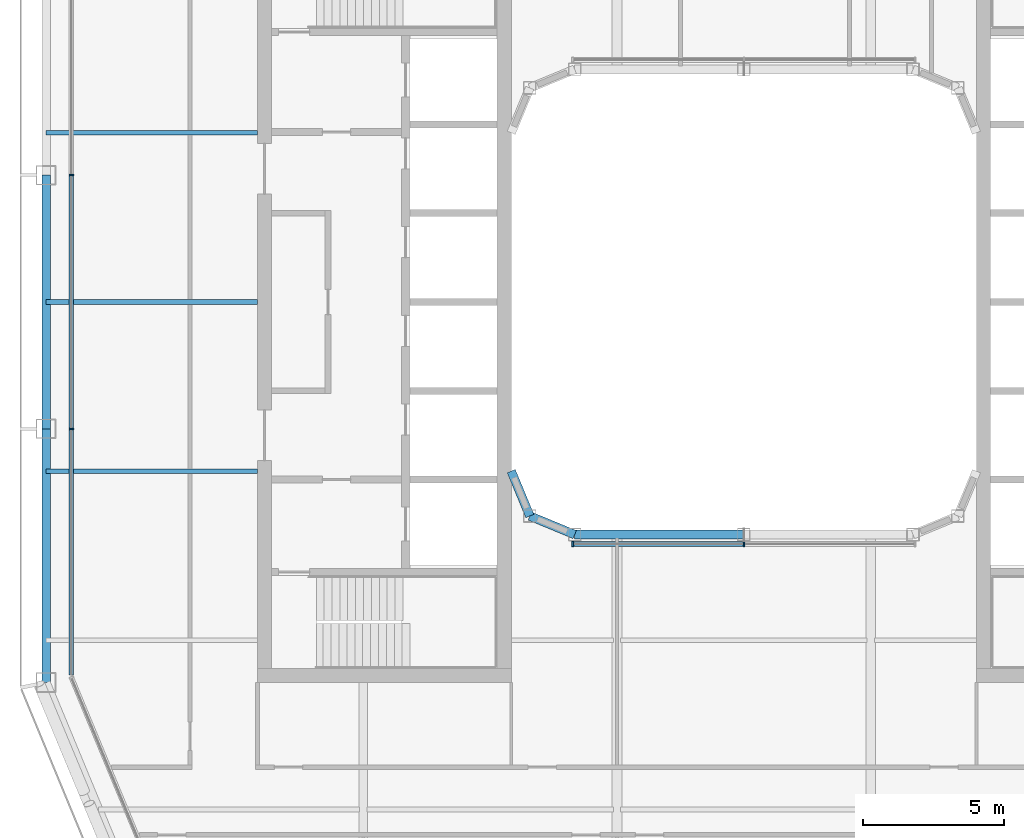
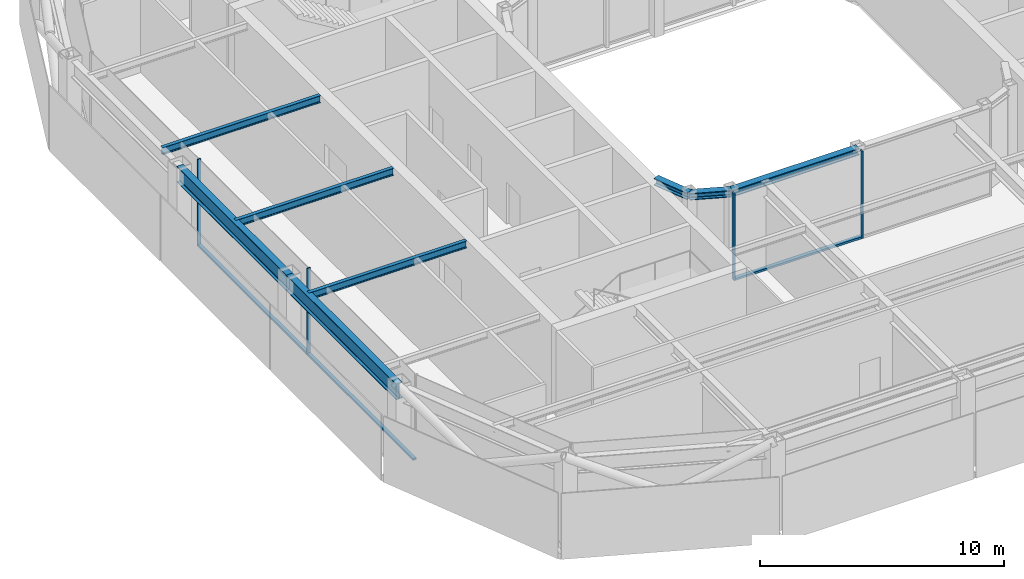
# One storey, part 4 of 21: 8 beams, 7 members, 2 elements without a shape of their own.
"""IFC4 building model written with IfcOpenShell, lengths in metres."""

from ifc_helpers import new_model, si_unit, direction, frame, origin, origin_2d, place, context, subcontext, project, spatial, rectangle, i_section, extrude, material, layer, layer_set, material_profile, profile_set, type_object, element, aggregate, save


model = new_model("IFC4")

# Units and contexts
model_context = context("Model", 3, precision=1e-05, world=origin(), true_north=direction((0.0, 1.0)))
body_context = subcontext(model_context, "Body", "Model", "MODEL_VIEW")
ifc_project = project(units=[si_unit("LENGTHUNIT", "METRE"), si_unit("AREAUNIT", "SQUARE_METRE"), si_unit("VOLUMEUNIT", "CUBIC_METRE"), si_unit("PLANEANGLEUNIT", "RADIAN"), si_unit("MASSUNIT", "GRAM", prefix="KILO")], contexts=[model_context])

# Site, building, storey
site_placement = place(None, origin())
site = spatial("IfcSite", under=ifc_project, at=site_placement, CompositionType="ELEMENT")
building_placement = place(site_placement, origin())
building = spatial("IfcBuilding", under=site, at=building_placement, Name="Siwar Civic Tower", CompositionType="ELEMENT")
storey_placement = place(building_placement, frame((0.0, 0.0, 325.699951171875)))
storey = spatial("IfcBuildingStorey", under=building, at=storey_placement, Name="L70", CompositionType="ELEMENT", Elevation=325.699951171875)

# Curtain wall, members
ifc_material_1 = material(Name="Aluminium and glass", Category="aluminium")
ifc_layer_1 = layer(ifc_material_1, 0.159912109375)
ifc_layer_set_1 = layer_set([ifc_layer_1], Name="Aluminium and glass")
curtain_wall_type_1 = type_object("IfcCurtainWallType", Name="ENV-CW-D", PredefinedType="NOTDEFINED", material=ifc_layer_set_1)
curtain_wall_1_placement = place(storey_placement, origin())
curtain_wall_1 = element("IfcCurtainWall", 1, at=curtain_wall_1_placement, inside=storey, type_object=curtain_wall_type_1, Name="Curtain wall D W", PredefinedType="NOTDEFINED")
ifc_material_2 = material(Name="Aluminium 6063-T6", Category="aluminium")
ifc_material_profile_1 = material_profile(ifc_material_2, rectangle(XDim=0.159912109375, YDim=0.06005859375, at=origin_2d()), Name="AL 160x60")
ifc_profile_set_1 = profile_set([ifc_material_profile_1], Name="Aluminium 6063-T6")
member_type_1 = type_object("IfcMemberType", Name="ENV-MULLION-D", PredefinedType="MULLION", material=ifc_profile_set_1)
member_1_placement = place(storey_placement, frame((-23.85009765625, 4.5, 0.0), z_axis=(0.0, 0.0, 1.0), x_axis=(1.0, 0.0, 0.0)))
member_1 = element("IfcMember", 2, at=member_1_placement, type_object=member_type_1, Name="Mullion D W 2", PredefinedType="MULLION", context=body_context, shape_type="SweptSolid", body=[
    extrude(rectangle(XDim=0.159912109375, YDim=0.06005859375, at=origin_2d()), origin(), (0.0, 0.0, 1.0), 4.35009765625),
])
member_2_placement = place(storey_placement, frame((-23.85009765625, -4.5, 0.0), z_axis=(0.0, 0.0, 1.0), x_axis=(1.0, 0.0, 0.0)))
member_2 = element("IfcMember", 3, at=member_2_placement, type_object=member_type_1, Name="Mullion D W 3", PredefinedType="MULLION", context=body_context, shape_type="SweptSolid", body=[
    extrude(rectangle(XDim=0.159912109375, YDim=0.06005859375, at=origin_2d()), origin(), (0.0, 0.0, 1.0), 4.35009765625),
])

ifc_material_3 = material(Name="Aluminium and glass", Category="aluminium")
ifc_layer_2 = layer(ifc_material_3, 0.179931640625)
ifc_layer_set_2 = layer_set([ifc_layer_2], Name="Aluminium and glass")
curtain_wall_type_2 = type_object("IfcCurtainWallType", Name="ENV-CW-W", PredefinedType="NOTDEFINED", material=ifc_layer_set_2)
curtain_wall_2_placement = place(storey_placement, origin())
curtain_wall_2 = element("IfcCurtainWall", 4, at=curtain_wall_2_placement, inside=storey, type_object=curtain_wall_type_2, Name="Curtain wall W WS", PredefinedType="NOTDEFINED")
ifc_material_4 = material(Name="Aluminium 6063-T6", Category="aluminium")
ifc_material_profile_2 = material_profile(ifc_material_4, rectangle(XDim=0.179931640625, YDim=0.06005859375, at=origin_2d()), Name="AL 180x60")
ifc_profile_set_2 = profile_set([ifc_material_profile_2], Name="Aluminium 6063-T6")
member_type_2 = type_object("IfcMemberType", Name="ENV-MULLION-W", PredefinedType="MULLION", material=ifc_profile_set_2)
member_3_placement = place(storey_placement, frame((-6.066650390625, -8.5849609375, 0.0), z_axis=(0.0, 0.0, 1.0), x_axis=(0.0, 1.0, 0.0)))
member_3 = element("IfcMember", 5, at=member_3_placement, type_object=member_type_2, Name="Mullion W WS 1", PredefinedType="MULLION", context=body_context, shape_type="SweptSolid", body=[
    extrude(rectangle(XDim=0.179931640625, YDim=0.06005859375, at=origin_2d()), origin(), (0.0, 0.0, 1.0), 4.35009765625),
])
member_4_placement = place(storey_placement, frame((0.0, -8.5849609375, 0.0), z_axis=(0.0, 0.0, 1.0), x_axis=(0.0, 1.0, 0.0)))
member_4 = element("IfcMember", 6, at=member_4_placement, type_object=member_type_2, Name="Mullion W WS 2", PredefinedType="MULLION", context=body_context, shape_type="SweptSolid", body=[
    extrude(rectangle(XDim=0.179931640625, YDim=0.06005859375, at=origin_2d()), origin(), (0.0, 0.0, 1.0), 4.35009765625),
])

# Member
ifc_material_5 = material(Name="Aluminium 6063-T6", Category="aluminium")
ifc_material_profile_3 = material_profile(ifc_material_5, rectangle(XDim=0.159912109375, YDim=0.10009765625, at=origin_2d()), Name="AL 160x100")
ifc_profile_set_3 = profile_set([ifc_material_profile_3], Name="Aluminium 6063-T6")
member_type_3 = type_object("IfcMemberType", Name="ENV-TRANSOM-D", PredefinedType="USERDEFINED", material=ifc_profile_set_3)
member_5_placement = place(storey_placement, frame((-23.85009765625, 4.469970703125, 0.050048828125), z_axis=(0.0, -1.0, 0.0), x_axis=(1.0, 0.0, 0.0)))
member_5 = element("IfcMember", 7, at=member_5_placement, type_object=member_type_3, Name="Transom D W 2", ObjectType="TRANSOM", PredefinedType="USERDEFINED", context=body_context, shape_type="SweptSolid", body=[
    extrude(rectangle(XDim=0.159912109375, YDim=0.10009765625, at=origin_2d()), origin(), (0.0, 0.0, 1.0), 8.93994140625),
])

member_6_placement = place(storey_placement, frame((-23.85009765625, -4.530029296875, 0.050048828125), z_axis=(0.0, -1.0, 0.0), x_axis=(1.0, 0.0, 0.0)))
member_6 = element("IfcMember", 8, at=member_6_placement, type_object=member_type_3, Name="Transom D W 3", ObjectType="TRANSOM", PredefinedType="USERDEFINED", context=body_context, shape_type="SweptSolid", body=[
    extrude(rectangle(XDim=0.159912109375, YDim=0.10009765625, at=origin_2d()), origin(), (0.0, 0.0, 1.0), 8.693115234375),
])

aggregate(curtain_wall_1, [member_1, member_2, member_5, member_6])

ifc_material_6 = material(Name="Aluminium 6063-T6", Category="aluminium")
ifc_material_profile_4 = material_profile(ifc_material_6, rectangle(XDim=0.179931640625, YDim=0.10009765625, at=origin_2d()), Name="AL 180x100")
ifc_profile_set_4 = profile_set([ifc_material_profile_4], Name="Aluminium 6063-T6")
member_type_4 = type_object("IfcMemberType", Name="ENV-TRANSOM-W", PredefinedType="USERDEFINED", material=ifc_profile_set_4)
member_7_placement = place(storey_placement, frame((-6.03662109375, -8.5849609375, 0.050048828125), z_axis=(1.0, 0.0, 0.0), x_axis=(0.0, 1.0, 0.0)))
member_7 = element("IfcMember", 9, at=member_7_placement, type_object=member_type_4, Name="Transom W WS 1", ObjectType="TRANSOM", PredefinedType="USERDEFINED", context=body_context, shape_type="SweptSolid", body=[
    extrude(rectangle(XDim=0.179931640625, YDim=0.10009765625, at=origin_2d()), origin(), (0.0, 0.0, 1.0), 6.006591796875),
])

aggregate(curtain_wall_2, [member_3, member_4, member_7])

# Beams
ifc_material_7 = material(Name="Steel S355", Category="steel")
ifc_material_profile_5 = material_profile(ifc_material_7, i_section(OverallWidth=0.169921875, OverallDepth=0.360107421875, WebThickness=0.008056640625, FlangeThickness=0.0126953125, FilletRadius=0.01806640625, at=origin_2d()), Name="IPE360")
ifc_profile_set_5 = profile_set([ifc_material_profile_5], Name="Steel S355")
beam_type_1 = type_object("IfcBeamType", Name="STR-FB-IPE360", PredefinedType="JOIST", material=ifc_profile_set_5)
for number, where, z_axis, x_axis, name in (
    (10, (-24.75, -6.0, 4.170166015625), (1.0, 0.0, 0.0), (0.0, 1.0, 0.0), "L70/bm/F016"),
    (11, (-24.75, 0.0, 4.170166015625), (1.0, 0.0, 0.0), (0.0, 1.0, 0.0), "L70/bm/F018"),
    (12, (-24.75, 6.0, 4.170166015625), (1.0, 0.0, 0.0), (0.0, 1.0, 0.0), "L70/bm/F020"),
):
    element("IfcBeam", number, at=place(storey_placement, frame(where, z_axis=z_axis, x_axis=x_axis)), inside=storey, type_object=beam_type_1, Name=name, PredefinedType="JOIST", context=body_context, shape_type="SweptSolid", body=[
        extrude(i_section(OverallWidth=0.169921875, OverallDepth=0.360107421875, WebThickness=0.008056640625, FlangeThickness=0.0126953125, FilletRadius=0.01806640625, at=origin_2d()), origin(), (0.0, 0.0, 1.0), 7.5),
    ])
ifc_material_8 = material(Name="Steel S355", Category="steel")
ifc_material_profile_6 = material_profile(ifc_material_8, i_section(OverallWidth=0.31005859375, OverallDepth=0.340087890625, WebThickness=0.02099609375, FlangeThickness=0.0390625, FilletRadius=0.027099609375, at=origin_2d()), Name="HEM300")
ifc_profile_set_6 = profile_set([ifc_material_profile_6], Name="Steel S355")
beam_type_2 = type_object("IfcBeamType", Name="STR-RB-HEM300", PredefinedType="BEAM", material=ifc_profile_set_6)
beam_1_placement = place(storey_placement, frame((-7.591064453125, -7.591064453125, 4.179931640625), z_axis=(0.923901072997, -0.382631424892, 0.0), x_axis=(0.382631424892, 0.923901072997, 0.0)))
element("IfcBeam", 13, at=beam_1_placement, inside=storey, type_object=beam_type_2, Name="L70/bm/RS0", PredefinedType="BEAM", context=body_context, shape_type="SweptSolid", body=[
    extrude(i_section(OverallWidth=0.31005859375, OverallDepth=0.340087890625, WebThickness=0.02099609375, FlangeThickness=0.0390625, FilletRadius=0.027099609375, at=origin_2d()), origin(), (0.0, 0.0, 1.0), 1.72216796875),
])
beam_2_placement = place(storey_placement, frame((-6.0, -8.25, 4.179931640625), z_axis=(1.0, 0.0, 0.0), x_axis=(0.0, 1.0, 0.0)))
element("IfcBeam", 14, at=beam_2_placement, inside=storey, type_object=beam_type_2, Name="L70/bm/RS1", PredefinedType="BEAM", context=body_context, shape_type="SweptSolid", body=[
    extrude(i_section(OverallWidth=0.31005859375, OverallDepth=0.340087890625, WebThickness=0.02099609375, FlangeThickness=0.0390625, FilletRadius=0.027099609375, at=origin_2d()), origin(), (0.0, 0.0, 1.0), 6.0),
])
beam_3_placement = place(storey_placement, frame((-7.591064453125, -7.591064453125, 4.179931640625), z_axis=(-0.382631424892, 0.923901072997, 0.0), x_axis=(-0.923901072997, -0.382631424892, 0.0)))
element("IfcBeam", 15, at=beam_3_placement, inside=storey, type_object=beam_type_2, Name="L70/bm/RSEW", PredefinedType="BEAM", context=body_context, shape_type="SweptSolid", body=[
    extrude(i_section(OverallWidth=0.31005859375, OverallDepth=0.340087890625, WebThickness=0.02099609375, FlangeThickness=0.0390625, FilletRadius=0.027099609375, at=origin_2d()), origin(), (0.0, 0.0, 1.0), 1.72216796875),
])
ifc_material_9 = material(Name="Steel S355", Category="steel")
ifc_material_profile_7 = material_profile(ifc_material_9, i_section(OverallWidth=0.300048828125, OverallDepth=0.800048828125, WebThickness=0.017578125, FlangeThickness=0.032958984375, FilletRadius=0.030029296875, at=origin_2d()), Name="HEB800")
ifc_profile_set_7 = profile_set([ifc_material_profile_7], Name="Steel S355")
beam_type_3 = type_object("IfcBeamType", Name="STR-SB-HEB800", PredefinedType="BEAM", material=ifc_profile_set_7)
for number, where, z_axis, x_axis, name in (
    (16, (-24.75, 4.5, 3.949951171875), (0.0, -1.0, 0.0), (1.0, 0.0, 0.0), "L70/bm/SW-1"),
    (17, (-24.75, -4.5, 3.949951171875), (0.0, -1.0, 0.0), (1.0, 0.0, 0.0), "L70/bm/SW-2"),
):
    element("IfcBeam", number, at=place(storey_placement, frame(where, z_axis=z_axis, x_axis=x_axis)), inside=storey, type_object=beam_type_3, Name=name, PredefinedType="BEAM", context=body_context, shape_type="SweptSolid", body=[
        extrude(i_section(OverallWidth=0.300048828125, OverallDepth=0.800048828125, WebThickness=0.017578125, FlangeThickness=0.032958984375, FilletRadius=0.030029296875, at=origin_2d()), origin(), (0.0, 0.0, 1.0), 9.0),
    ])

save(model, "model.ifc")
